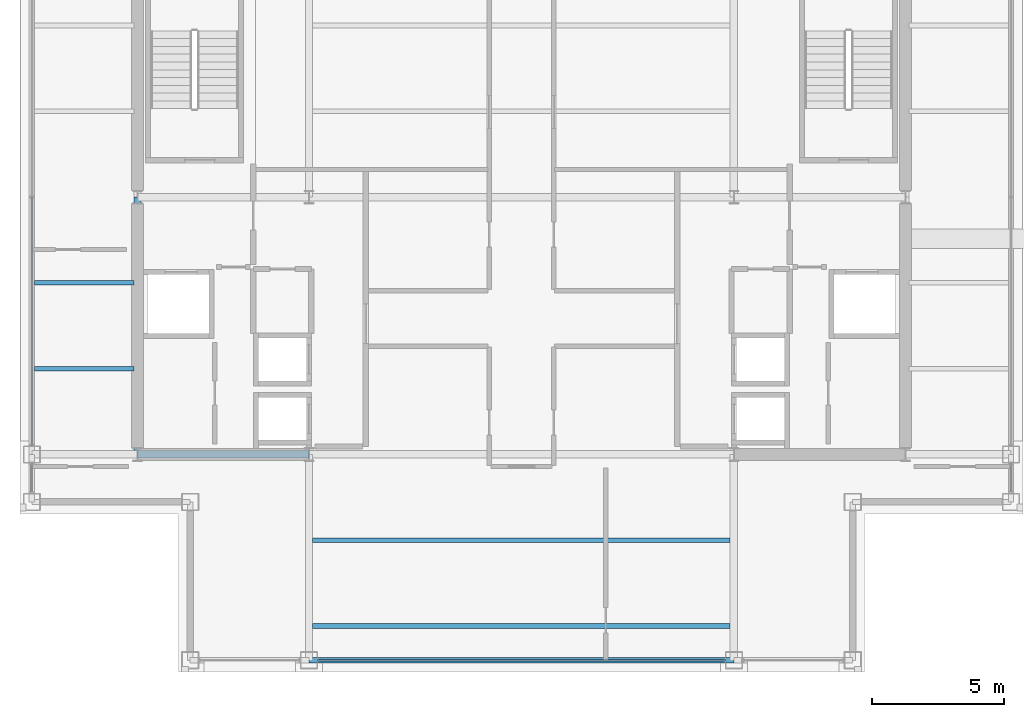
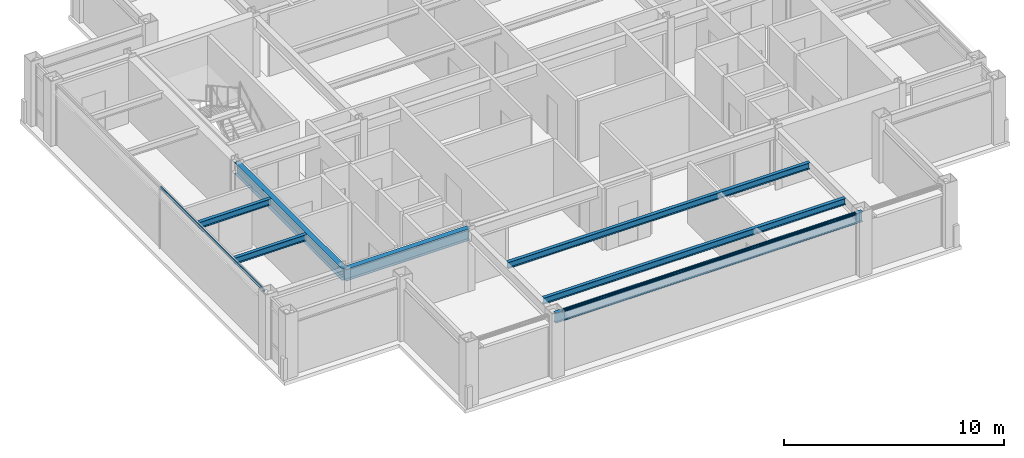
# One storey, part 3 of 20: 7 beams, 2 members, 2 elements without a shape of their own.
"""IFC4 building model written with IfcOpenShell, lengths in metres."""

from ifc_helpers import new_model, si_unit, direction, frame, origin, origin_2d, place, context, subcontext, project, spatial, hollow_rectangle, i_section, extrude, material, layer, layer_set, material_profile, profile_set, type_object, element, aggregate, save


model = new_model("IFC4")

# Units and contexts
model_context = context("Model", 3, precision=1e-05, world=origin(), true_north=direction((0.0, 1.0)))
body_context = subcontext(model_context, "Body", "Model", "MODEL_VIEW")
ifc_project = project(units=[si_unit("LENGTHUNIT", "METRE"), si_unit("AREAUNIT", "SQUARE_METRE"), si_unit("VOLUMEUNIT", "CUBIC_METRE"), si_unit("PLANEANGLEUNIT", "RADIAN"), si_unit("MASSUNIT", "GRAM", prefix="KILO")], contexts=[model_context])

# Site, building, storey
site_placement = place(None, origin())
site = spatial("IfcSite", under=ifc_project, at=site_placement, CompositionType="ELEMENT")
building_placement = place(site_placement, origin())
building = spatial("IfcBuilding", under=site, at=building_placement, Name="Brelmoor Portico Tower", CompositionType="ELEMENT")
storey_placement = place(building_placement, frame((0.0, 0.0, 218.39990234375)))
storey = spatial("IfcBuildingStorey", under=building, at=storey_placement, Name="L57", CompositionType="ELEMENT", Elevation=218.39990234375)

# Beams
ifc_material_1 = material(Name="Steel Q355B", Category="steel")
ifc_material_profile_1 = material_profile(ifc_material_1, i_section(OverallWidth=0.175048828125, OverallDepth=0.35009765625, WebThickness=0.007080078125, FlangeThickness=0.010986328125, at=origin_2d()), Name="HN 350x175x7x11")
ifc_profile_set_1 = profile_set([ifc_material_profile_1], Name="Steel Q355B")
beam_type_1 = type_object("IfcBeamType", Name="BM-JS-350", PredefinedType="JOIST", material=ifc_profile_set_1)
for number, where, z_axis, x_axis, name in (
    (1, (-7.909912109375, -16.25, 3.22509765625), (1.0, 0.0, 0.0), (0.0, 1.0, 0.0), "L57 Secondary Composite Joist JS-C01"),
    (2, (-7.909912109375, -13.0, 3.22509765625), (1.0, 0.0, 0.0), (0.0, 1.0, 0.0), "L57 Secondary Composite Joist JS-C02"),
):
    element("IfcBeam", number, at=place(storey_placement, frame(where, z_axis=z_axis, x_axis=x_axis)), inside=storey, type_object=beam_type_1, Name=name, PredefinedType="JOIST", context=body_context, shape_type="SweptSolid", body=[
        extrude(i_section(OverallWidth=0.175048828125, OverallDepth=0.35009765625, WebThickness=0.007080078125, FlangeThickness=0.010986328125, at=origin_2d()), origin(), (0.0, 0.0, 1.0), 15.81982421875),
    ])
for number, where, z_axis, x_axis, name in (
    (3, (-18.449951171875, -6.5, 3.22509765625), (1.0, 0.0, 0.0), (0.0, 1.0, 0.0), "L57 Secondary Wing Joist JS-W07"),
    (4, (-18.449951171875, -3.25, 3.22509765625), (1.0, 0.0, 0.0), (0.0, 1.0, 0.0), "L57 Secondary Wing Joist JS-W08"),
):
    element("IfcBeam", number, at=place(storey_placement, frame(where, z_axis=z_axis, x_axis=x_axis)), inside=storey, type_object=beam_type_1, Name=name, PredefinedType="JOIST", context=body_context, shape_type="SweptSolid", body=[
        extrude(i_section(OverallWidth=0.175048828125, OverallDepth=0.35009765625, WebThickness=0.007080078125, FlangeThickness=0.010986328125, at=origin_2d()), origin(), (0.0, 0.0, 1.0), 3.760009765625),
    ])
ifc_material_profile_2 = material_profile(ifc_material_1, i_section(OverallWidth=0.280029296875, OverallDepth=0.64990234375, WebThickness=0.012939453125, FlangeThickness=0.02197265625, at=origin_2d()), Name="HN 650x280x13x22")
ifc_profile_set_2 = profile_set([ifc_material_profile_2], Name="Steel Q355B")
beam_type_2 = type_object("IfcBeamType", Name="BM-PG-650", PredefinedType="BEAM", material=ifc_profile_set_2)
beam_1_placement = place(storey_placement, frame((-14.550048828125, -9.75, 3.0751953125), z_axis=(0.0, 1.0, 0.0), x_axis=(-1.0, 0.0, 0.0)))
element("IfcBeam", 5, at=beam_1_placement, inside=storey, type_object=beam_type_2, Name="L57 Primary Floor Girder PG-01", PredefinedType="BEAM", context=body_context, shape_type="SweptSolid", body=[
    extrude(i_section(OverallWidth=0.280029296875, OverallDepth=0.64990234375, WebThickness=0.012939453125, FlangeThickness=0.02197265625, at=origin_2d()), origin(), (0.0, 0.0, 1.0), 9.75),
])
beam_2_placement = place(storey_placement, frame((-14.550048828125, -9.75, 3.0751953125), z_axis=(1.0, 0.0, 0.0), x_axis=(0.0, 1.0, 0.0)))
element("IfcBeam", 6, at=beam_2_placement, inside=storey, type_object=beam_type_2, Name="L57 Primary Floor Girder PG-12", PredefinedType="BEAM", context=body_context, shape_type="SweptSolid", body=[
    extrude(i_section(OverallWidth=0.280029296875, OverallDepth=0.64990234375, WebThickness=0.012939453125, FlangeThickness=0.02197265625, at=origin_2d()), origin(), (0.0, 0.0, 1.0), 6.5),
])
ifc_material_profile_3 = material_profile(ifc_material_1, i_section(OverallWidth=0.199951171875, OverallDepth=0.550048828125, WebThickness=0.010009765625, FlangeThickness=0.01611328125, at=origin_2d()), Name="HN 550x200x10x16")
ifc_profile_set_3 = profile_set([ifc_material_profile_3], Name="Steel Q355B")
beam_type_3 = type_object("IfcBeamType", Name="BM-SP-550", PredefinedType="SPANDREL", material=ifc_profile_set_3)
beam_3_placement = place(storey_placement, frame((-8.050048828125, -17.550048828125, 3.125), z_axis=(1.0, 0.0, 0.0), x_axis=(0.0, 1.0, 0.0)))
element("IfcBeam", 7, at=beam_3_placement, inside=storey, type_object=beam_type_3, Name="L57 Perimeter Spandrel Beam SP-02", PredefinedType="SPANDREL", context=body_context, shape_type="SweptSolid", body=[
    extrude(i_section(OverallWidth=0.199951171875, OverallDepth=0.550048828125, WebThickness=0.010009765625, FlangeThickness=0.01611328125, at=origin_2d()), origin(), (0.0, 0.0, 1.0), 16.10009765625),
])

# Curtain wall, member
ifc_material_2 = material(Name="Anodised Aluminium Alloy 6063-T6", Category="aluminium")
ifc_layer = layer(ifc_material_2, 0.179931640625)
ifc_layer_set = layer_set([ifc_layer], Name="Anodised Aluminium Alloy 6063-T6")
curtain_wall_type = type_object("IfcCurtainWallType", Name="CW-TOWER-Z4-XB", PredefinedType="NOTDEFINED", material=ifc_layer_set)
curtain_wall_1_placement = place(storey_placement, origin())
curtain_wall_1 = element("IfcCurtainWall", 8, at=curtain_wall_1_placement, inside=storey, type_object=curtain_wall_type, Name="L57 Curtain Wall CW-L57-01-2", PredefinedType="NOTDEFINED")
ifc_material_profile_4 = material_profile(ifc_material_2, hollow_rectangle(XDim=0.06005859375, YDim=0.125, WallThickness=0.00341796875, at=origin_2d()), Name="ALU TRANSOM 60x125")
ifc_profile_set_4 = profile_set([ifc_material_profile_4], Name="Anodised Aluminium Alloy 6063-T6")
member_type = type_object("IfcMemberType", Name="MB-CW-TRAN-125", PredefinedType="USERDEFINED", material=ifc_profile_set_4)
member_1_placement = place(storey_placement, frame((-7.715087890625, -17.550048828125, 3.337646484375), z_axis=(1.0, 0.0, 0.0), x_axis=(0.0, 1.0, 0.0)))
member_1 = element("IfcMember", 9, at=member_1_placement, type_object=member_type, Name="CW-L57-01-2 Transom 1-00", ObjectType="TRANSOM", PredefinedType="USERDEFINED", context=body_context, shape_type="SweptSolid", body=[
    extrude(hollow_rectangle(XDim=0.06005859375, YDim=0.125, WallThickness=0.00341796875, at=origin_2d()), origin(), (0.0, 0.0, 1.0), 15.43017578125),
])
aggregate(curtain_wall_1, [member_1])

curtain_wall_2_placement = place(storey_placement, origin())
curtain_wall_2 = element("IfcCurtainWall", 10, at=curtain_wall_2_placement, inside=storey, type_object=curtain_wall_type, Name="L57 Curtain Wall CW-L57-03-2", PredefinedType="NOTDEFINED")
member_2_placement = place(storey_placement, frame((-18.550048828125, -9.4150390625, 3.337646484375), z_axis=(0.0, 1.0, 0.0), x_axis=(-1.0, 0.0, 0.0)))
member_2 = element("IfcMember", 11, at=member_2_placement, type_object=member_type, Name="CW-L57-03-2 Transom 1-00", ObjectType="TRANSOM", PredefinedType="USERDEFINED", context=body_context, shape_type="SweptSolid", body=[
    extrude(hollow_rectangle(XDim=0.06005859375, YDim=0.125, WallThickness=0.00341796875, at=origin_2d()), origin(), (0.0, 0.0, 1.0), 9.4150390625),
])
aggregate(curtain_wall_2, [member_2])

save(model, "model.ifc")
